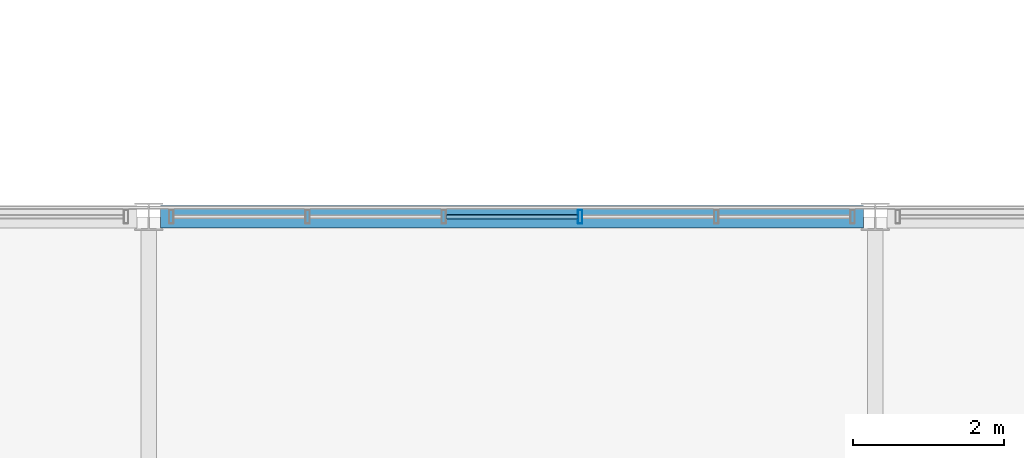
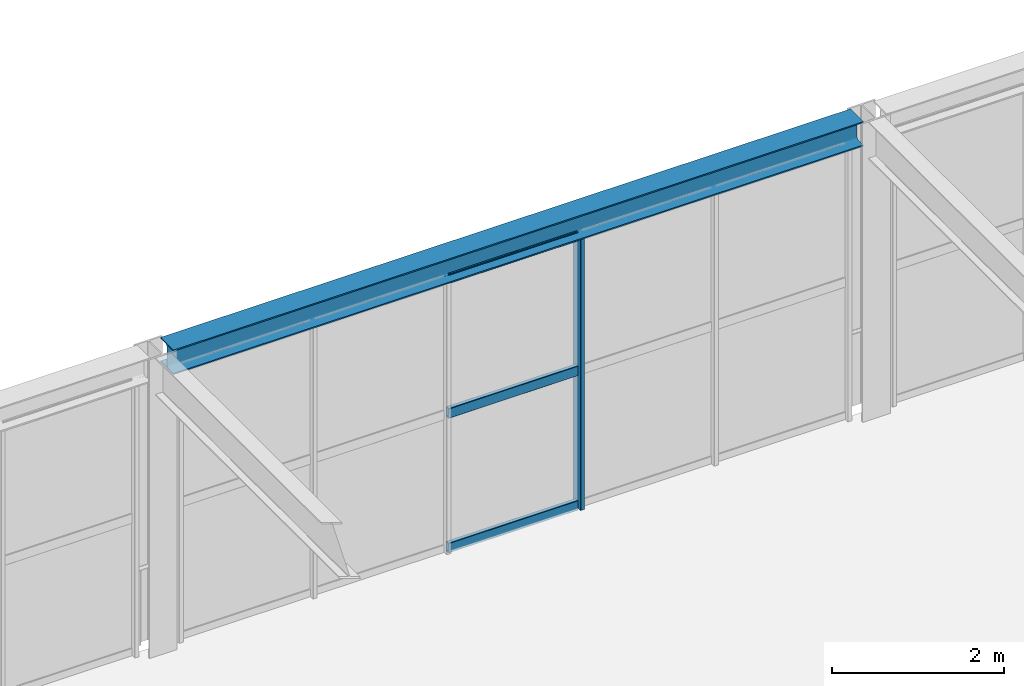
# One storey, part 59 of 170: 4 members, 1 beam, 1 element without a shape of its own.
"""IFC4 building model written with IfcOpenShell, lengths in metres."""

from ifc_helpers import new_model, si_unit, direction, frame, origin, origin_2d, place, context, subcontext, project, spatial, hollow_rectangle, i_section, extrude, material, material_profile, profile_set, type_object, element, aggregate, save


model = new_model("IFC4")

# Units and contexts
model_context = context("Model", 3, precision=1e-05, world=origin(), true_north=direction((0.0, 1.0)))
body_context = subcontext(model_context, "Body", "Model", "MODEL_VIEW")
ifc_project = project(units=[si_unit("LENGTHUNIT", "METRE"), si_unit("AREAUNIT", "SQUARE_METRE"), si_unit("VOLUMEUNIT", "CUBIC_METRE"), si_unit("PLANEANGLEUNIT", "RADIAN"), si_unit("MASSUNIT", "GRAM", prefix="KILO")], contexts=[model_context])

# Site, building, storey
site_placement = place(None, origin())
site = spatial("IfcSite", under=ifc_project, at=site_placement, CompositionType="ELEMENT")
building_placement = place(site_placement, origin())
building = spatial("IfcBuilding", under=site, at=building_placement, Name="Coralgate Yard Interchange", CompositionType="ELEMENT")
storey_placement = place(building_placement, frame((0.0, 0.0, 6.0)))
storey = spatial("IfcBuildingStorey", under=building, at=storey_placement, Name="L01", CompositionType="ELEMENT", Elevation=6.0)

# Beam
ifc_material_1 = material(Name="Structural steel S355J2", Category="steel")
ifc_material_profile_1 = material_profile(ifc_material_1, i_section(OverallWidth=0.300048828125, OverallDepth=0.35009765625, WebThickness=0.010009765625, FlangeThickness=0.017578125, FilletRadius=0.027099609375, at=origin_2d()), Name="HEA 360")
ifc_profile_set_1 = profile_set([ifc_material_profile_1], Name="Structural steel S355J2")
beam_type = type_object("IfcBeamType", Name="BM-SP-1", PredefinedType="SPANDREL", material=ifc_profile_set_1)
beam_placement = place(storey_placement, frame((57.75634765625, 48.0, 4.074951171875), z_axis=(1.0, 0.0, 0.0), x_axis=(0.0, 1.0, 0.0)))
element("IfcBeam", 1, at=beam_placement, inside=storey, type_object=beam_type, Name="L01 primary grid beam Y5 X6-7", PredefinedType="SPANDREL", context=body_context, shape_type="SweptSolid", body=[
    extrude(i_section(OverallWidth=0.300048828125, OverallDepth=0.35009765625, WebThickness=0.010009765625, FlangeThickness=0.017578125, FilletRadius=0.027099609375, at=origin_2d()), origin(), (0.0, 0.0, 1.0), 9.287353515625),
])

# Curtain wall, members
ifc_material_2 = material(Name="Anodised coastal aluminium and solar-control low-E glass", Category="aluminium")
curtain_wall_type = type_object("IfcCurtainWallType", Name="CW-CW-L01-B", PredefinedType="NOTDEFINED", material=ifc_material_2)
curtain_wall_placement = place(storey_placement, origin())
curtain_wall = element("IfcCurtainWall", 2, at=curtain_wall_placement, inside=storey, type_object=curtain_wall_type, Name="L01 unitised curtain wall CW-L01-N-06-04", PredefinedType="NOTDEFINED")
ifc_material_3 = material(Name="Anodised coastal aluminium 6063-T6", Category="aluminium")
ifc_material_profile_2 = material_profile(ifc_material_3, hollow_rectangle(XDim=0.06005859375, YDim=0.179931640625, WallThickness=0.00390625, InnerFilletRadius=0.00390625, OuterFilletRadius=0.008056640625, at=origin_2d()), Name="ALU 60x180x4")
ifc_profile_set_2 = profile_set([ifc_material_profile_2], Name="Anodised coastal aluminium 6063-T6")
member_type_1 = type_object("IfcMemberType", Name="MB-MUL-180", PredefinedType="MULLION", material=ifc_profile_set_2)
member_1_placement = place(storey_placement, frame((63.300048828125, 48.0, 0.0), z_axis=(0.0, 0.0, 1.0), x_axis=(1.0, 0.0, 0.0)))
member_1 = element("IfcMember", 3, at=member_1_placement, type_object=member_type_1, Name="CW-L01-N-06-04 vertical mullion 4", PredefinedType="MULLION", context=body_context, shape_type="SweptSolid", body=[
    extrude(hollow_rectangle(XDim=0.06005859375, YDim=0.179931640625, WallThickness=0.00390625, InnerFilletRadius=0.00390625, OuterFilletRadius=0.008056640625, at=origin_2d()), origin(), (0.0, 0.0, 1.0), 3.89990234375),
])
ifc_material_profile_3 = material_profile(ifc_material_3, hollow_rectangle(XDim=0.06005859375, YDim=0.139892578125, WallThickness=0.00341796875, InnerFilletRadius=0.00341796875, OuterFilletRadius=0.007080078125, at=origin_2d()), Name="ALU 60x140x3.5")
ifc_profile_set_3 = profile_set([ifc_material_profile_3], Name="Anodised coastal aluminium 6063-T6")
member_type_2 = type_object("IfcMemberType", Name="MB-TRN-140", PredefinedType="USERDEFINED", material=ifc_profile_set_3)
member_2_placement = place(storey_placement, frame((61.530029296875, 48.0, 0.034912109375), z_axis=(1.0, 0.0, 0.0), x_axis=(0.0, 1.0, 0.0)))
member_2 = element("IfcMember", 4, at=member_2_placement, type_object=member_type_2, Name="CW-L01-N-06-04 horizontal transom 3-1", ObjectType="TRANSOM", PredefinedType="USERDEFINED", context=body_context, shape_type="SweptSolid", body=[
    extrude(hollow_rectangle(XDim=0.06005859375, YDim=0.139892578125, WallThickness=0.00341796875, InnerFilletRadius=0.00341796875, OuterFilletRadius=0.007080078125, at=origin_2d()), origin(), (0.0, 0.0, 1.0), 1.739990234375),
])
member_3_placement = place(storey_placement, frame((61.530029296875, 48.0, 1.949951171875), z_axis=(1.0, 0.0, 0.0), x_axis=(0.0, 1.0, 0.0)))
member_3 = element("IfcMember", 5, at=member_3_placement, type_object=member_type_2, Name="CW-L01-N-06-04 horizontal transom 3-2", ObjectType="TRANSOM", PredefinedType="USERDEFINED", context=body_context, shape_type="SweptSolid", body=[
    extrude(hollow_rectangle(XDim=0.06005859375, YDim=0.139892578125, WallThickness=0.00341796875, InnerFilletRadius=0.00341796875, OuterFilletRadius=0.007080078125, at=origin_2d()), origin(), (0.0, 0.0, 1.0), 1.739990234375),
])
member_4_placement = place(storey_placement, frame((61.530029296875, 48.0, 3.864990234375), z_axis=(1.0, 0.0, 0.0), x_axis=(0.0, 1.0, 0.0)))
member_4 = element("IfcMember", 6, at=member_4_placement, type_object=member_type_2, Name="CW-L01-N-06-04 horizontal transom 3-3", ObjectType="TRANSOM", PredefinedType="USERDEFINED", context=body_context, shape_type="SweptSolid", body=[
    extrude(hollow_rectangle(XDim=0.06005859375, YDim=0.139892578125, WallThickness=0.00341796875, InnerFilletRadius=0.00341796875, OuterFilletRadius=0.007080078125, at=origin_2d()), origin(), (0.0, 0.0, 1.0), 1.739990234375),
])
aggregate(curtain_wall, [member_1, member_2, member_3, member_4])

save(model, "model.ifc")
